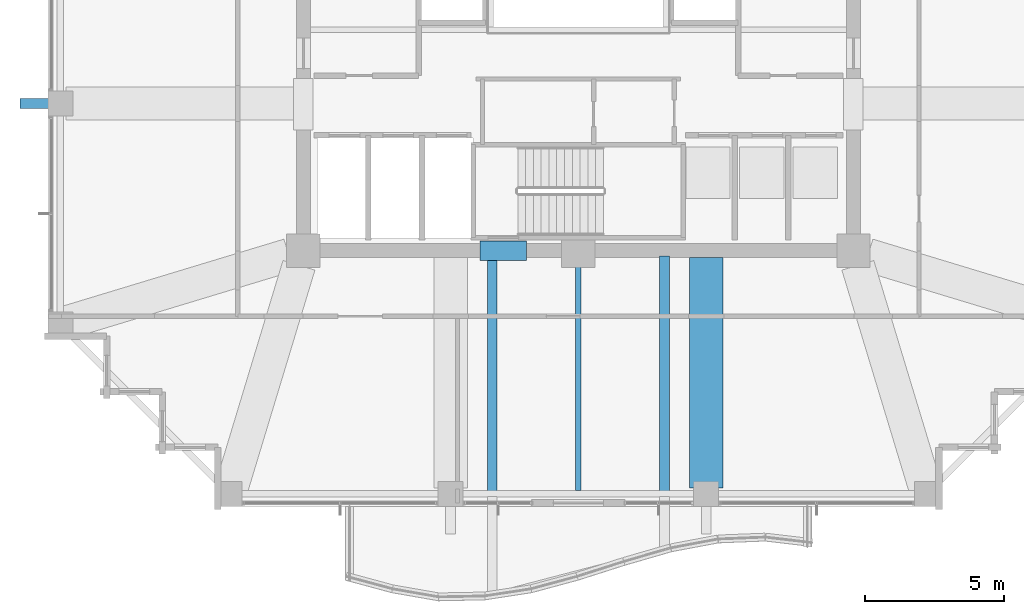
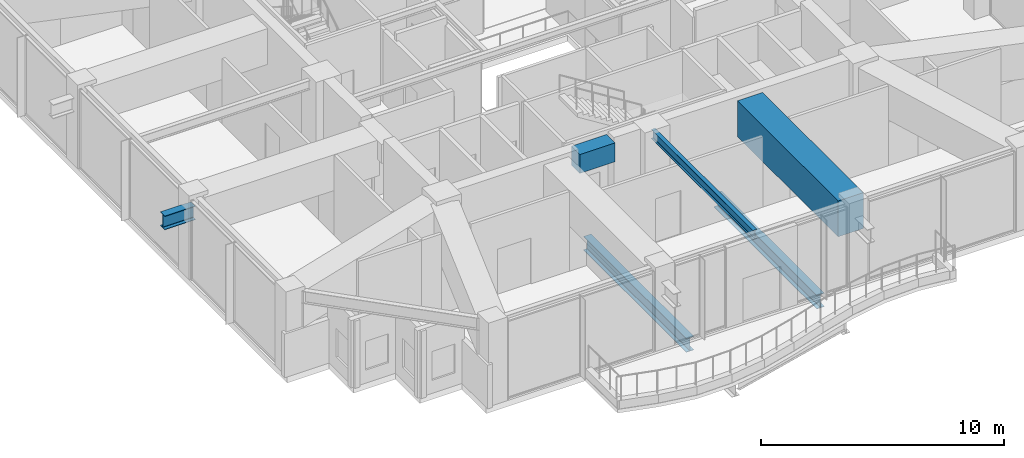
# One storey, part 8 of 33: 6 beams.
"""IFC4 building model written with IfcOpenShell, lengths in metres."""

from ifc_helpers import new_model, si_unit, direction, frame, origin, origin_2d, place, context, subcontext, project, spatial, rectangle, i_section, extrude, material, material_profile, profile_set, type_object, element, save


model = new_model("IFC4")

# Units and contexts
model_context = context("Model", 3, precision=1e-05, world=origin(), true_north=direction((0.0, 1.0)))
body_context = subcontext(model_context, "Body", "Model", "MODEL_VIEW")
ifc_project = project(units=[si_unit("LENGTHUNIT", "METRE"), si_unit("AREAUNIT", "SQUARE_METRE"), si_unit("VOLUMEUNIT", "CUBIC_METRE"), si_unit("PLANEANGLEUNIT", "RADIAN"), si_unit("MASSUNIT", "GRAM", prefix="KILO")], contexts=[model_context])

# Site, building, storey
site_placement = place(None, origin())
site = spatial("IfcSite", under=ifc_project, at=site_placement, CompositionType="ELEMENT")
building_placement = place(site_placement, origin())
building = spatial("IfcBuilding", under=site, at=building_placement, Name="Kolvaren Belvedere", CompositionType="ELEMENT")
storey_placement = place(building_placement, frame((0.0, 0.0, 152.699951171875)))
storey = spatial("IfcBuildingStorey", under=building, at=storey_placement, Name="L44", CompositionType="ELEMENT", Elevation=152.699951171875)

# Beams
ifc_material_1 = material(Name="Structural steel ASTM A992 Grade 50", Category="steel")
ifc_material_profile_1 = material_profile(ifc_material_1, i_section(OverallWidth=0.35498046875, OverallDepth=0.696044921875, WebThickness=0.015380859375, FlangeThickness=0.02490234375, FilletRadius=0.02197265625, at=origin_2d()), Name="W27X146")
ifc_profile_set_1 = profile_set([ifc_material_profile_1], Name="Structural steel ASTM A992 Grade 50")
beam_type_1 = type_object("IfcBeamType", Name="BM-CANT-BAL", PredefinedType="BEAM", material=ifc_profile_set_1)
beam_1_placement = place(storey_placement, frame((-18.64990234375, -4.60009765625, 3.0419921875), z_axis=(-1.0, 0.0, 0.0), x_axis=(0.0, -1.0, 0.0)))
element("IfcBeam", 1, at=beam_1_placement, inside=storey, type_object=beam_type_1, Name="L44 West Picture-Frame Column Corbel M", PredefinedType="BEAM", context=body_context, shape_type="SweptSolid", body=[
    extrude(i_section(OverallWidth=0.35498046875, OverallDepth=0.696044921875, WebThickness=0.015380859375, FlangeThickness=0.02490234375, FilletRadius=0.02197265625, at=origin_2d()), origin(), (0.0, 0.0, 1.0), 1.4501953125),
])
ifc_material_2 = material(Name="Structural steel ASTM A992 Grade 50", Category="steel")
ifc_material_profile_2 = material_profile(ifc_material_2, i_section(OverallWidth=0.35498046875, OverallDepth=0.696044921875, WebThickness=0.015380859375, FlangeThickness=0.02490234375, FilletRadius=0.02197265625, at=origin_2d()), Name="W27X146")
ifc_profile_set_2 = profile_set([ifc_material_profile_2], Name="Structural steel ASTM A992 Grade 50")
beam_type_2 = type_object("IfcBeamType", Name="BM-GIRD-W27X146", PredefinedType="BEAM", material=ifc_profile_set_2)
for number, where, z_axis, x_axis, name in (
    (2, (-3.10009765625, -10.090087890625, -0.64794921875), (0.0, -1.0, 0.0), (1.0, 0.0, 0.0), "L44 Balcony Interior Back-Span Girder BAL-S-1"),
    (3, (3.10009765625, -10.090087890625, -0.64794921875), (0.0, -1.0, 0.0), (1.0, 0.0, 0.0), "L44 Balcony Interior Back-Span Girder BAL-S-2"),
):
    element("IfcBeam", number, at=place(storey_placement, frame(where, z_axis=z_axis, x_axis=x_axis)), inside=storey, type_object=beam_type_2, Name=name, PredefinedType="BEAM", context=body_context, shape_type="SweptSolid", body=[
        extrude(i_section(OverallWidth=0.35498046875, OverallDepth=0.696044921875, WebThickness=0.015380859375, FlangeThickness=0.02490234375, FilletRadius=0.02197265625, at=origin_2d()), origin(), (0.0, 0.0, 1.0), 8.46484375),
    ])
ifc_material_3 = material(Name="Structural steel ASTM A992 Grade 50", Category="steel")
ifc_material_profile_3 = material_profile(ifc_material_3, i_section(OverallWidth=0.19091796875, OverallDepth=0.4599609375, WebThickness=0.010009765625, FlangeThickness=0.01611328125, FilletRadius=0.014892578125, at=origin_2d()), Name="W18X55")
ifc_profile_set_3 = profile_set([ifc_material_profile_3], Name="Structural steel ASTM A992 Grade 50")
beam_type_3 = type_object("IfcBeamType", Name="BM-JOIST-W18X55", PredefinedType="BEAM", material=ifc_profile_set_3)
beam_2_placement = place(storey_placement, frame((0.0, -10.14990234375, 3.77001953125), z_axis=(0.0, -1.0, 0.0), x_axis=(1.0, 0.0, 0.0)))
element("IfcBeam", 4, at=beam_2_placement, inside=storey, type_object=beam_type_3, Name="L44 South Centre Floor Beam", PredefinedType="BEAM", context=body_context, shape_type="SweptSolid", body=[
    extrude(i_section(OverallWidth=0.19091796875, OverallDepth=0.4599609375, WebThickness=0.010009765625, FlangeThickness=0.01611328125, FilletRadius=0.014892578125, at=origin_2d()), origin(), (0.0, 0.0, 1.0), 8.385498046875),
])
ifc_material_4 = material(Name="Concrete C60/75", Category="concrete")
ifc_material_profile_4 = material_profile(ifc_material_4, rectangle(XDim=0.699951171875, YDim=0.949951171875, at=origin_2d()), Name="RC 700X950")
ifc_profile_set_4 = profile_set([ifc_material_profile_4], Name="Concrete C60/75")
beam_type_4 = type_object("IfcBeamType", Name="BM-LINT-950", PredefinedType="LINTEL", material=ifc_profile_set_4)
beam_3_placement = place(storey_placement, frame((-3.5400390625, -9.89990234375, 3.525146484375), z_axis=(1.0, 0.0, 0.0), x_axis=(0.0, 1.0, 0.0)))
element("IfcBeam", 5, at=beam_3_placement, inside=storey, type_object=beam_type_4, Name="L44 South Core Coupling Lintel", PredefinedType="LINTEL", context=body_context, shape_type="SweptSolid", body=[
    extrude(rectangle(XDim=0.699951171875, YDim=0.949951171875, at=origin_2d()), origin(), (0.0, 0.0, 1.0), 1.679931640625),
])
ifc_material_5 = material(Name="Concrete C50/60", Category="concrete")
ifc_material_profile_5 = material_profile(ifc_material_5, rectangle(XDim=1.199951171875, YDim=1.800048828125, at=origin_2d()), Name="RC 1200X1800")
ifc_profile_set_5 = profile_set([ifc_material_profile_5], Name="Concrete C50/60")
beam_type_5 = type_object("IfcBeamType", Name="BM-TG-1800", PredefinedType="BEAM", material=ifc_profile_set_5)
beam_4_placement = place(storey_placement, frame((4.60009765625, -10.14990234375, 3.10009765625), z_axis=(0.0, -1.0, 0.0), x_axis=(1.0, 0.0, 0.0)))
element("IfcBeam", 6, at=beam_4_placement, inside=storey, type_object=beam_type_5, Name="L44 South Radial Girder P", PredefinedType="BEAM", context=body_context, shape_type="SweptSolid", body=[
    extrude(rectangle(XDim=1.199951171875, YDim=1.800048828125, at=origin_2d()), origin(), (0.0, 0.0, 1.0), 8.297607421875),
])

save(model, "model.ifc")
